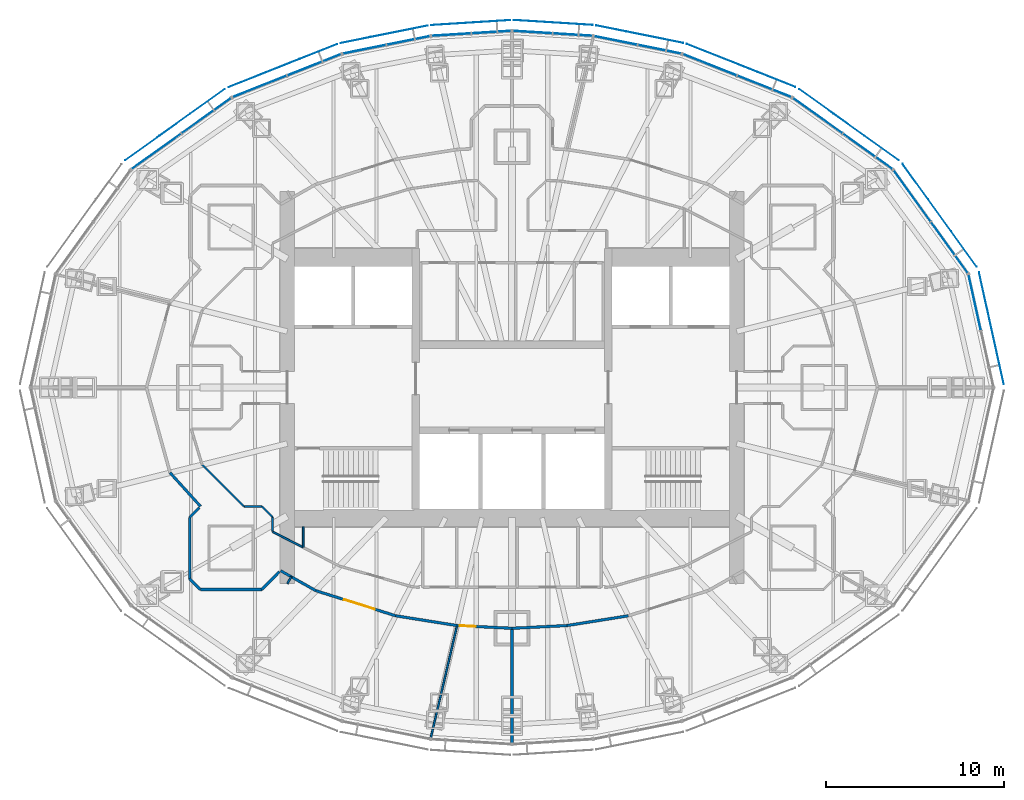
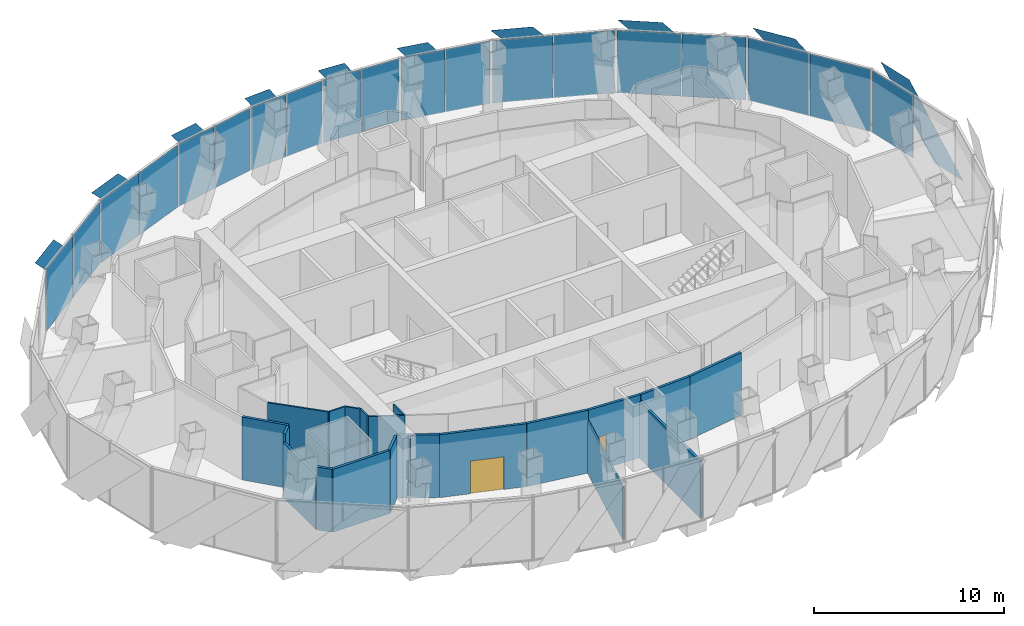
# One storey, part 11 of 18: 29 plates, 21 walls, 2 doors, 2 openings, 10 elements without a shape of their own.
"""IFC4 building model written with IfcOpenShell, lengths in metres."""

import ifcopenshell
import ifcopenshell.guid

model = None  # the IFC model being written
_history = None  # IfcOwnerHistory: only IFC2X3 demands one
_inside = {}  # id of a spatial element -> (the spatial element, [elements in it])
_under = {}  # id of a project, library or spatial element -> (it, [spatial elements below it])
_declared = {}  # id of a project -> (the project, [libraries it declares])
_typed = {}  # id of a type object -> (the type object, [elements of that type])
_made_of = {}  # id of a material, layer set ... -> (it, [elements and type objects made of it])


def new_model(schema):
    """Start an empty IFC model of exactly this schema.

    Asked for "IFC4X3", IfcOpenShell would pick the latest addendum, in which some entities
    have other attributes; the version numbers below select the first issue.
    IFC2X3 requires an IfcOwnerHistory on every rooted entity: one is made here for all.
    """
    global model, _history
    if schema == "IFC4X3":
        model = ifcopenshell.file(schema_version=(4, 3, 0, 0))
    else:
        model = ifcopenshell.file(schema=schema)
    _inside.clear()
    _under.clear()
    _declared.clear()
    _typed.clear()
    _made_of.clear()
    _history = None
    if model.schema == "IFC2X3":
        org = make("IfcOrganization", Name="unknown")
        user = make(
            "IfcPersonAndOrganization",
            ThePerson=make("IfcPerson", FamilyName="unknown"),
            TheOrganization=org,
        )
        app = make(
            "IfcApplication",
            ApplicationDeveloper=org,
            Version="unknown",
            ApplicationFullName="unknown",
            ApplicationIdentifier="unknown",
        )
        _history = make(
            "IfcOwnerHistory",
            OwningUser=user,
            OwningApplication=app,
            ChangeAction="ADDED",
            CreationDate=0,
        )
    return model


def make(cls, **values):
    """One entity of the class cls with the attributes given. An attribute that is None is left unset."""
    return model.create_entity(
        cls, **{name: value for name, value in values.items() if value is not None}
    )


def rooted(cls, **values):
    """An entity with a GlobalId (a new one), such as an element, a storey or a relation."""
    return make(cls, GlobalId=ifcopenshell.guid.new(), OwnerHistory=_history, **values)


def si_unit(unit_type, name, prefix=None):
    """IfcSIUnit, for example si_unit("LENGTHUNIT", "METRE", prefix="MILLI")."""
    return make("IfcSIUnit", UnitType=unit_type, Prefix=prefix, Name=name)


def assignment(units):
    """IfcUnitAssignment: the units of a project."""
    return None if units is None else make("IfcUnitAssignment", Units=units)


def point(xyz):
    """IfcCartesianPoint."""
    return None if xyz is None else make("IfcCartesianPoint", Coordinates=xyz)


def direction(xyz):
    """IfcDirection."""
    return None if xyz is None else make("IfcDirection", DirectionRatios=xyz)


def frame(location, z_axis=None, x_axis=None):
    """IfcAxis2Placement3D, a coordinate frame: its origin and axes. An axis left out is left unset."""
    return make(
        "IfcAxis2Placement3D",
        Location=point(location),
        Axis=direction(z_axis),
        RefDirection=direction(x_axis),
    )


def frame_2d(location, x_axis=None):
    """IfcAxis2Placement2D, a coordinate frame in the plane: its origin and x axis."""
    return make(
        "IfcAxis2Placement2D", Location=point(location), RefDirection=direction(x_axis)
    )


def origin():
    """The frame at (0, 0, 0) with its axes left unset."""
    return frame((0.0, 0.0, 0.0))


def origin_2d():
    """The frame at (0, 0) in the plane with its x axis left unset."""
    return frame_2d((0.0, 0.0))


def place(relative_to, where):
    """IfcLocalPlacement: puts the frame where relative to a parent placement (None: the world)."""
    return make(
        "IfcLocalPlacement", PlacementRelTo=relative_to, RelativePlacement=where
    )


def context(
    kind, dimensions, precision=None, world=None, true_north=None, identifier=None
):
    """IfcGeometricRepresentationContext, for example the 3D "Model" context."""
    return make(
        "IfcGeometricRepresentationContext",
        ContextIdentifier=identifier,
        ContextType=kind,
        CoordinateSpaceDimension=dimensions,
        Precision=precision,
        WorldCoordinateSystem=world,
        TrueNorth=true_north,
    )


def subcontext(parent, identifier, kind, view, scale=None):
    """IfcGeometricRepresentationSubContext, for example "Body" below "Model"."""
    return make(
        "IfcGeometricRepresentationSubContext",
        ContextIdentifier=identifier,
        ContextType=kind,
        ParentContext=parent,
        TargetScale=scale,
        TargetView=view,
    )


def project(units=None, contexts=None):
    """IfcProject with its units and contexts."""
    return rooted(
        "IfcProject",
        Name="project",
        RepresentationContexts=contexts,
        UnitsInContext=assignment(units),
    )


def spatial(cls, under=None, at=None, **own):
    """A site, building, storey or space (cls), placed at a placement, below another one or the project."""
    s = rooted(cls, ObjectPlacement=at, **own)
    if under is not None:
        _under.setdefault(under.id(), (under, []))[1].append(s)
    return s


def polyline(points):
    """IfcPolyline through the points."""
    return make("IfcPolyline", Points=[point(p) for p in points])


def profile(cls, at=None, kind="AREA", **sizes):
    """A parametric profile (cls). Its sizes go by their IFC names, for example OverallWidth=200.0."""
    return make(cls, ProfileType=kind, Position=at, **sizes)


def rectangle(**sizes):
    """IfcRectangleProfileDef."""
    return profile("IfcRectangleProfileDef", **sizes)


def outline(outer, holes=None, kind="AREA"):
    """IfcArbitraryClosedProfileDef: a profile drawn as a closed curve; with holes, ...WithVoids."""
    if holes is None:
        return make("IfcArbitraryClosedProfileDef", ProfileType=kind, OuterCurve=outer)
    return make(
        "IfcArbitraryProfileDefWithVoids",
        ProfileType=kind,
        OuterCurve=outer,
        InnerCurves=holes,
    )


def extrude(swept, where, along, depth):
    """IfcExtrudedAreaSolid: the profile swept, set in the frame where, extruded along a direction by depth."""
    return make(
        "IfcExtrudedAreaSolid",
        SweptArea=swept,
        Position=where,
        ExtrudedDirection=direction(along),
        Depth=depth,
    )


def shape(context_of_items, identifier, shape_type, items):
    """IfcShapeRepresentation: the items that make up one representation, for example the "Body"."""
    return make(
        "IfcShapeRepresentation",
        ContextOfItems=context_of_items,
        RepresentationIdentifier=identifier,
        RepresentationType=shape_type,
        Items=items,
    )


def material(Name=None, Category=None):
    """IfcMaterial."""
    return make("IfcMaterial", Name=Name, Category=Category)


def layer(
    of_material, thickness, ventilated=None, Name=None, Category=None, Priority=None
):
    """IfcMaterialLayer: one layer of a wall or slab, of a material (None: an air gap)."""
    return make(
        "IfcMaterialLayer",
        Material=of_material,
        LayerThickness=thickness,
        IsVentilated=ventilated,
        Name=Name,
        Category=Category,
        Priority=Priority,
    )


def layer_set(layers, Name=None):
    """IfcMaterialLayerSet."""
    return make("IfcMaterialLayerSet", MaterialLayers=layers, LayerSetName=Name)


def made_of(thing, what):
    """Note that an element or type object is made of a material, layer set ...; save() writes the relation."""
    if what is not None:
        _made_of.setdefault(what.id(), (what, []))[1].append(thing)
    return thing


def type_object(cls, material=None, **own):
    """A type object (cls), such as IfcWallType, which elements share."""
    return made_of(rooted(cls, **own), material)


def element(
    cls,
    number,
    at=None,
    inside=None,
    cuts=None,
    type_object=None,
    material=None,
    context=None,
    identifier="Body",
    shape_type=None,
    held_by="IfcProductDefinitionShape",
    body=None,
    shapes=None,
    **own,
):
    """One element of the class cls, such as IfcWall. Its Tag is "e" and its number.

    at: its placement. inside: the storey or other place that contains it. cuts: it is an
    opening in that element (IfcRelVoidsElement). A single representation is given by context,
    identifier, shape_type and body (its items); several are given by shapes. held_by: the class
    of the entity that holds the representations. save() writes the other relations.
    """
    e = rooted(cls, Tag="e%d" % number, ObjectPlacement=at, **own)
    if body is not None:
        shapes = [shape(context, identifier, shape_type, body)]
    if shapes is not None:
        e.Representation = make(held_by, Representations=shapes)
    if inside is not None:
        _inside.setdefault(inside.id(), (inside, []))[1].append(e)
    if cuts is not None:
        rooted(
            "IfcRelVoidsElement", RelatingBuildingElement=cuts, RelatedOpeningElement=e
        )
    if type_object is not None:
        _typed.setdefault(type_object.id(), (type_object, []))[1].append(e)
    return made_of(e, material)


def fill(opening, filler):
    """IfcRelFillsElement: the door or window that sits in an opening."""
    return rooted(
        "IfcRelFillsElement",
        RelatingOpeningElement=opening,
        RelatedBuildingElement=filler,
    )


def aggregate(whole, parts):
    """IfcRelAggregates: a whole, such as a stair, and the parts it consists of."""
    return rooted("IfcRelAggregates", RelatingObject=whole, RelatedObjects=parts)


def save(model, path):
    """Write the relations noted so far, then the file.

    IfcRelAggregates (storeys below a building ...), IfcRelContainedInSpatialStructure (elements
    in a storey), IfcRelDefinesByType, IfcRelAssociatesMaterial and IfcRelDeclares: one each for
    every whole, place, type object, material and project.
    """
    for whole, parts in _under.values():
        aggregate(whole, parts)
    for where, things in _inside.values():
        rooted(
            "IfcRelContainedInSpatialStructure",
            RelatedElements=things,
            RelatingStructure=where,
        )
    for kind, things in _typed.values():
        rooted("IfcRelDefinesByType", RelatedObjects=things, RelatingType=kind)
    for what, things in _made_of.values():
        rooted("IfcRelAssociatesMaterial", RelatedObjects=things, RelatingMaterial=what)
    for by, libraries in _declared.values():
        rooted("IfcRelDeclares", RelatingContext=by, RelatedDefinitions=libraries)
    model.write(path)


model = new_model("IFC4")

# Units and contexts
model_context = context("Model", 3, precision=1e-05, world=origin(), true_north=direction((0.0, 1.0)))
body_context = subcontext(model_context, "Body", "Model", "MODEL_VIEW")
ifc_project = project(units=[si_unit("LENGTHUNIT", "METRE"), si_unit("AREAUNIT", "SQUARE_METRE"), si_unit("VOLUMEUNIT", "CUBIC_METRE"), si_unit("PLANEANGLEUNIT", "RADIAN"), si_unit("MASSUNIT", "GRAM", prefix="KILO")], contexts=[model_context])

# Site, building, storey
site_placement = place(None, origin())
site = spatial("IfcSite", under=ifc_project, at=site_placement, CompositionType="ELEMENT")
building_placement = place(site_placement, origin())
building = spatial("IfcBuilding", under=site, at=building_placement, Name="Lantaw Convention Tower", CompositionType="ELEMENT")
storey_placement = place(building_placement, frame((0.0, 0.0, 266.199951171875)))
storey = spatial("IfcBuildingStorey", under=building, at=storey_placement, Name="L62", CompositionType="ELEMENT", Elevation=266.199951171875)

# Curtain wall, plate
ifc_material_1 = material(Name="Aluminium framed curtain wall", Category="aluminium")
curtain_wall_type = type_object("IfcCurtainWallType", Name="Office curtain wall high rise, pale aluminium", PredefinedType="USERDEFINED", material=ifc_material_1)
curtain_wall_1_placement = place(storey_placement, origin())
curtain_wall_1 = element("IfcCurtainWall", 1, at=curtain_wall_1_placement, inside=storey, type_object=curtain_wall_type, Name="Office curtain wall high rise, pale aluminium L62", ObjectType="UNITISED CURTAIN WALL", PredefinedType="USERDEFINED")
ifc_material_2 = material(Name="Clear insulating glass", Category="glass")
ifc_layer_1 = layer(ifc_material_2, 0.028076171875)
ifc_layer_set_1 = layer_set([ifc_layer_1], Name="CW-O2 panel 28")
plate_type_1 = type_object("IfcPlateType", Name="CW-O2 panel 28", PredefinedType="CURTAIN_PANEL", material=ifc_layer_set_1)
plate_1_placement = place(storey_placement, frame((25.945556640625, 4.769287109375, -0.0849609375), z_axis=(0.0, 0.0, 1.0), x_axis=(-0.215891333626, 0.976417396437, 0.0)))
plate_1 = element("IfcPlate", 2, at=plate_1_placement, type_object=plate_type_1, Name="CW-O2 panel 2.1", PredefinedType="CURTAIN_PANEL", context=body_context, shape_type="SweptSolid", body=[
    extrude(rectangle(XDim=3.169677734375, YDim=0.028076171875, at=origin_2d()), origin(), (0.0, 0.0, 1.0), 4.02001953125),
])
aggregate(curtain_wall_1, [plate_1])

# Curtain wall, plates
curtain_wall_2_placement = place(storey_placement, origin())
curtain_wall_2 = element("IfcCurtainWall", 3, at=curtain_wall_2_placement, inside=storey, type_object=curtain_wall_type, Name="Office curtain wall high rise, pale aluminium L62", ObjectType="UNITISED CURTAIN WALL", PredefinedType="USERDEFINED")
plate_2_placement = place(storey_placement, frame((24.527099609375, 7.852294921875, -0.0849609375), z_axis=(0.0, 0.0, 1.0), x_axis=(-0.585157643865, 0.810919559405, 0.0)))
plate_2 = element("IfcPlate", 4, at=plate_2_placement, type_object=plate_type_1, Name="CW-O2 panel 1.1", PredefinedType="CURTAIN_PANEL", context=body_context, shape_type="SweptSolid", body=[
    extrude(rectangle(XDim=3.500732421875, YDim=0.028076171875, at=origin_2d()), origin(), (0.0, 0.0, 1.0), 4.02001953125),
])
plate_3_placement = place(storey_placement, frame((22.4404296875, 10.743896484375, -0.0849609375), z_axis=(0.0, 0.0, 1.0), x_axis=(-0.585157643865, 0.810919559405, 0.0)))
plate_3 = element("IfcPlate", 5, at=plate_3_placement, type_object=plate_type_1, Name="CW-O2 panel 2.1", PredefinedType="CURTAIN_PANEL", context=body_context, shape_type="SweptSolid", body=[
    extrude(rectangle(XDim=3.500732421875, YDim=0.028076171875, at=origin_2d()), origin(), (0.0, 0.0, 1.0), 4.02001953125),
])
aggregate(curtain_wall_2, [plate_2, plate_3])

curtain_wall_3_placement = place(storey_placement, origin())
curtain_wall_3 = element("IfcCurtainWall", 6, at=curtain_wall_3_placement, inside=storey, type_object=curtain_wall_type, Name="Office curtain wall high rise, pale aluminium L62", ObjectType="UNITISED CURTAIN WALL", PredefinedType="USERDEFINED")
plate_4_placement = place(storey_placement, frame((19.947509765625, 13.23828125, -0.0849609375), z_axis=(0.0, 0.0, 1.0), x_axis=(-0.813672540482, 0.581323487281, 0.0)))
plate_4 = element("IfcPlate", 7, at=plate_4_placement, type_object=plate_type_1, Name="CW-O2 panel 1.1", PredefinedType="CURTAIN_PANEL", context=body_context, shape_type="SweptSolid", body=[
    extrude(rectangle(XDim=3.386474609375, YDim=0.028076171875, at=origin_2d()), origin(), (0.0, 0.0, 1.0), 4.02001953125),
])
plate_5_placement = place(storey_placement, frame((17.13916015625, 15.24462890625, -0.0849609375), z_axis=(0.0, 0.0, 1.0), x_axis=(-0.813672540482, 0.581323487281, 0.0)))
plate_5 = element("IfcPlate", 8, at=plate_5_placement, type_object=plate_type_1, Name="CW-O2 panel 2.1", PredefinedType="CURTAIN_PANEL", context=body_context, shape_type="SweptSolid", body=[
    extrude(rectangle(XDim=3.386474609375, YDim=0.028076171875, at=origin_2d()), origin(), (0.0, 0.0, 1.0), 4.02001953125),
])
aggregate(curtain_wall_3, [plate_4, plate_5])

curtain_wall_4_placement = place(storey_placement, origin())
curtain_wall_4 = element("IfcCurtainWall", 9, at=curtain_wall_4_placement, inside=storey, type_object=curtain_wall_type, Name="Office curtain wall high rise, pale aluminium L62", ObjectType="UNITISED CURTAIN WALL", PredefinedType="USERDEFINED")
plate_6_placement = place(storey_placement, frame((14.14990234375, 16.8837890625, -0.0849609375), z_axis=(0.0, 0.0, 1.0), x_axis=(-0.929761533743, 0.368162315252, 0.0)))
plate_6 = element("IfcPlate", 10, at=plate_6_placement, type_object=plate_type_1, Name="CW-O2 panel 1.1", PredefinedType="CURTAIN_PANEL", context=body_context, shape_type="SweptSolid", body=[
    extrude(rectangle(XDim=3.222900390625, YDim=0.028076171875, at=origin_2d()), origin(), (0.0, 0.0, 1.0), 4.02001953125),
])
plate_7_placement = place(storey_placement, frame((11.0927734375, 18.094482421875, -0.0849609375), z_axis=(0.0, 0.0, 1.0), x_axis=(-0.929761533743, 0.368162315252, 0.0)))
plate_7 = element("IfcPlate", 11, at=plate_7_placement, type_object=plate_type_1, Name="CW-O2 panel 2.1", PredefinedType="CURTAIN_PANEL", context=body_context, shape_type="SweptSolid", body=[
    extrude(rectangle(XDim=3.222900390625, YDim=0.028076171875, at=origin_2d()), origin(), (0.0, 0.0, 1.0), 4.02001953125),
])
aggregate(curtain_wall_4, [plate_6, plate_7])

curtain_wall_5_placement = place(storey_placement, origin())
curtain_wall_5 = element("IfcCurtainWall", 12, at=curtain_wall_5_placement, inside=storey, type_object=curtain_wall_type, Name="Office curtain wall high rise, pale aluminium L62", ObjectType="UNITISED CURTAIN WALL", PredefinedType="USERDEFINED")
plate_8_placement = place(storey_placement, frame((8.2724609375, 18.96533203125, -0.0849609375), z_axis=(0.0, 0.0, 1.0), x_axis=(-0.980366679695, 0.197183095987, 0.0)))
plate_8 = element("IfcPlate", 13, at=plate_8_placement, type_object=plate_type_1, Name="CW-O2 panel 1.1", PredefinedType="CURTAIN_PANEL", context=body_context, shape_type="SweptSolid", body=[
    extrude(rectangle(XDim=2.44384765625, YDim=0.028076171875, at=origin_2d()), origin(), (0.0, 0.0, 1.0), 4.02001953125),
])
plate_9_placement = place(storey_placement, frame((5.81298828125, 19.4599609375, -0.0849609375), z_axis=(0.0, 0.0, 1.0), x_axis=(-0.980366679695, 0.197183095987, 0.0)))
plate_9 = element("IfcPlate", 14, at=plate_9_placement, type_object=plate_type_1, Name="CW-O2 panel 2.1", PredefinedType="CURTAIN_PANEL", context=body_context, shape_type="SweptSolid", body=[
    extrude(rectangle(XDim=2.44384765625, YDim=0.028076171875, at=origin_2d()), origin(), (0.0, 0.0, 1.0), 4.02001953125),
])
aggregate(curtain_wall_5, [plate_8, plate_9])

curtain_wall_6_placement = place(storey_placement, origin())
curtain_wall_6 = element("IfcCurtainWall", 15, at=curtain_wall_6_placement, inside=storey, type_object=curtain_wall_type, Name="Office curtain wall high rise, pale aluminium L62", ObjectType="UNITISED CURTAIN WALL", PredefinedType="USERDEFINED")
plate_10_placement = place(storey_placement, frame((3.397216796875, 19.786376953125, -0.0849609375), z_axis=(0.0, 0.0, 1.0), x_axis=(-0.998028774865, 0.062757983884, 0.0)))
plate_10 = element("IfcPlate", 16, at=plate_10_placement, type_object=plate_type_1, Name="CW-O2 panel 1.1", PredefinedType="CURTAIN_PANEL", context=body_context, shape_type="SweptSolid", body=[
    extrude(rectangle(XDim=2.1826171875, YDim=0.028076171875, at=origin_2d()), origin(), (0.0, 0.0, 1.0), 4.02001953125),
])
plate_11_placement = place(storey_placement, frame((1.154052734375, 19.927490234375, -0.0849609375), z_axis=(0.0, 0.0, 1.0), x_axis=(-0.998028774865, 0.062757983884, 0.0)))
plate_11 = element("IfcPlate", 17, at=plate_11_placement, type_object=plate_type_1, Name="CW-O2 panel 2.1", PredefinedType="CURTAIN_PANEL", context=body_context, shape_type="SweptSolid", body=[
    extrude(rectangle(XDim=2.1826171875, YDim=0.028076171875, at=origin_2d()), origin(), (0.0, 0.0, 1.0), 4.02001953125),
])
aggregate(curtain_wall_6, [plate_10, plate_11])

curtain_wall_7_placement = place(storey_placement, origin())
curtain_wall_7 = element("IfcCurtainWall", 18, at=curtain_wall_7_placement, inside=storey, type_object=curtain_wall_type, Name="Office curtain wall high rise, pale aluminium L62", ObjectType="UNITISED CURTAIN WALL", PredefinedType="USERDEFINED")
plate_12_placement = place(storey_placement, frame((-1.154052734375, 19.927490234375, -0.0849609375), z_axis=(0.0, 0.0, 1.0), x_axis=(-0.998028774865, -0.062757983884, 0.0)))
plate_12 = element("IfcPlate", 19, at=plate_12_placement, type_object=plate_type_1, Name="CW-O2 panel 1.1", PredefinedType="CURTAIN_PANEL", context=body_context, shape_type="SweptSolid", body=[
    extrude(rectangle(XDim=2.1826171875, YDim=0.028076171875, at=origin_2d()), origin(), (0.0, 0.0, 1.0), 4.02001953125),
])
plate_13_placement = place(storey_placement, frame((-3.397216796875, 19.786376953125, -0.0849609375), z_axis=(0.0, 0.0, 1.0), x_axis=(-0.998028774865, -0.062757983884, 0.0)))
plate_13 = element("IfcPlate", 20, at=plate_13_placement, type_object=plate_type_1, Name="CW-O2 panel 2.1", PredefinedType="CURTAIN_PANEL", context=body_context, shape_type="SweptSolid", body=[
    extrude(rectangle(XDim=2.1826171875, YDim=0.028076171875, at=origin_2d()), origin(), (0.0, 0.0, 1.0), 4.02001953125),
])
aggregate(curtain_wall_7, [plate_12, plate_13])

curtain_wall_8_placement = place(storey_placement, origin())
curtain_wall_8 = element("IfcCurtainWall", 21, at=curtain_wall_8_placement, inside=storey, type_object=curtain_wall_type, Name="Office curtain wall high rise, pale aluminium L62", ObjectType="UNITISED CURTAIN WALL", PredefinedType="USERDEFINED")
plate_14_placement = place(storey_placement, frame((-5.81298828125, 19.4599609375, -0.0849609375), z_axis=(0.0, 0.0, 1.0), x_axis=(-0.980366679695, -0.197183095987, 0.0)))
plate_14 = element("IfcPlate", 22, at=plate_14_placement, type_object=plate_type_1, Name="CW-O2 panel 1.1", PredefinedType="CURTAIN_PANEL", context=body_context, shape_type="SweptSolid", body=[
    extrude(rectangle(XDim=2.44384765625, YDim=0.028076171875, at=origin_2d()), origin(), (0.0, 0.0, 1.0), 4.02001953125),
])
plate_15_placement = place(storey_placement, frame((-8.2724609375, 18.96533203125, -0.0849609375), z_axis=(0.0, 0.0, 1.0), x_axis=(-0.980366679695, -0.197183095987, 0.0)))
plate_15 = element("IfcPlate", 23, at=plate_15_placement, type_object=plate_type_1, Name="CW-O2 panel 2.1", PredefinedType="CURTAIN_PANEL", context=body_context, shape_type="SweptSolid", body=[
    extrude(rectangle(XDim=2.44384765625, YDim=0.028076171875, at=origin_2d()), origin(), (0.0, 0.0, 1.0), 4.02001953125),
])
aggregate(curtain_wall_8, [plate_14, plate_15])

curtain_wall_9_placement = place(storey_placement, origin())
curtain_wall_9 = element("IfcCurtainWall", 24, at=curtain_wall_9_placement, inside=storey, type_object=curtain_wall_type, Name="Office curtain wall high rise, pale aluminium L62", ObjectType="UNITISED CURTAIN WALL", PredefinedType="USERDEFINED")
plate_16_placement = place(storey_placement, frame((-11.0927734375, 18.094482421875, -0.0849609375), z_axis=(0.0, 0.0, 1.0), x_axis=(-0.929761533743, -0.368162315252, 0.0)))
plate_16 = element("IfcPlate", 25, at=plate_16_placement, type_object=plate_type_1, Name="CW-O2 panel 1.1", PredefinedType="CURTAIN_PANEL", context=body_context, shape_type="SweptSolid", body=[
    extrude(rectangle(XDim=3.222900390625, YDim=0.028076171875, at=origin_2d()), origin(), (0.0, 0.0, 1.0), 4.02001953125),
])
plate_17_placement = place(storey_placement, frame((-14.14990234375, 16.8837890625, -0.0849609375), z_axis=(0.0, 0.0, 1.0), x_axis=(-0.929761533743, -0.368162315252, 0.0)))
plate_17 = element("IfcPlate", 26, at=plate_17_placement, type_object=plate_type_1, Name="CW-O2 panel 2.1", PredefinedType="CURTAIN_PANEL", context=body_context, shape_type="SweptSolid", body=[
    extrude(rectangle(XDim=3.222900390625, YDim=0.028076171875, at=origin_2d()), origin(), (0.0, 0.0, 1.0), 4.02001953125),
])
aggregate(curtain_wall_9, [plate_16, plate_17])

curtain_wall_10_placement = place(storey_placement, origin())
curtain_wall_10 = element("IfcCurtainWall", 27, at=curtain_wall_10_placement, inside=storey, type_object=curtain_wall_type, Name="Office curtain wall high rise, pale aluminium L62", ObjectType="UNITISED CURTAIN WALL", PredefinedType="USERDEFINED")
plate_18_placement = place(storey_placement, frame((-17.13916015625, 15.24462890625, -0.0849609375), z_axis=(0.0, 0.0, 1.0), x_axis=(-0.813672540482, -0.581323487281, 0.0)))
plate_18 = element("IfcPlate", 28, at=plate_18_placement, type_object=plate_type_1, Name="CW-O2 panel 1.1", PredefinedType="CURTAIN_PANEL", context=body_context, shape_type="SweptSolid", body=[
    extrude(rectangle(XDim=3.386474609375, YDim=0.028076171875, at=origin_2d()), origin(), (0.0, 0.0, 1.0), 4.02001953125),
])
plate_19_placement = place(storey_placement, frame((-19.947509765625, 13.23828125, -0.0849609375), z_axis=(0.0, 0.0, 1.0), x_axis=(-0.813672540482, -0.581323487281, 0.0)))
plate_19 = element("IfcPlate", 29, at=plate_19_placement, type_object=plate_type_1, Name="CW-O2 panel 2.1", PredefinedType="CURTAIN_PANEL", context=body_context, shape_type="SweptSolid", body=[
    extrude(rectangle(XDim=3.386474609375, YDim=0.028076171875, at=origin_2d()), origin(), (0.0, 0.0, 1.0), 4.02001953125),
])
aggregate(curtain_wall_10, [plate_18, plate_19])

# Plates
ifc_material_3 = material(Name="Perforated aluminium sheet, pale silver finish", Category="aluminium")
ifc_layer_2 = layer(ifc_material_3, 0.006103515625)
ifc_layer_set_2 = layer_set([ifc_layer_2], Name="Perforated aluminium solar SCREEN panel")
plate_type_2 = type_object("IfcPlateType", Name="Perforated aluminium solar SCREEN panel", PredefinedType="SHEET", material=ifc_layer_set_2)
plate_20_placement = place(storey_placement, frame((27.580810546875, 0.1796875, -0.175048828125), z_axis=(0.976429511424, 0.215836529031, 4.4219438e-05), x_axis=(-0.215836529242, 0.976429512379, 0.0)))
element("IfcPlate", 30, at=plate_20_placement, inside=storey, type_object=plate_type_2, Name="Solar SCREEN panel", PredefinedType="SHEET", context=body_context, shape_type="SweptSolid", body=[
    extrude(outline(polyline([(0.0, 0.0), (2.2215525295212517, -3.3881317890172014e-21), (6.4341686174090675, 4.340087894868215), (4.212616087887817, 4.340087894868215), (0.0, 0.0)])), origin(), (0.0, 0.0, -1.0), 0.006103515625),
])
plate_21_placement = place(storey_placement, frame((26.051513671875, 6.775390625, -0.175048828125), z_axis=(-0.810892289695, -0.585195432394, 2.0458414e-05), x_axis=(-0.585195432516, 0.810892289865, 0.0)))
element("IfcPlate", 31, at=plate_21_placement, inside=storey, type_object=plate_type_2, Name="Solar SCREEN panel", PredefinedType="SHEET", context=body_context, shape_type="SweptSolid", body=[
    extrude(outline(polyline([(0.0, 0.0), (2.446848840683286, 6.776263578034403e-21), (7.09661046667572, -4.340087891533265), (4.649761625992435, -4.340087891533265), (0.0, 0.0)])), origin(), (0.0, 0.0, -1.0), 0.006103515625),
])
plate_22_placement = place(storey_placement, frame((21.689697265625, 12.73828125, -0.175048828125), z_axis=(0.581330799771, 0.813667316006, 1.0072414e-05), x_axis=(-0.813667316047, 0.5813307998, 3.02e-10)))
element("IfcPlate", 32, at=plate_22_placement, inside=storey, type_object=plate_type_2, Name="Solar SCREEN panel", PredefinedType="SHEET", context=body_context, shape_type="SweptSolid", body=[
    extrude(outline(polyline([(0.0, 0.0), (2.3691416428668504, 0.0), (6.867806096558412, 4.34008788877314), (4.498863102938644, 4.340087890202622), (0.0, 0.0)])), origin(), (0.0, 0.0, -1.0), 0.006103515625),
])
plate_23_placement = place(storey_placement, frame((15.88525390625, 16.8486328125, -0.175048828125), z_axis=(-0.368116612072, -0.929779629081, 3.5533269e-05), x_axis=(-0.929779629668, 0.368116612304, -1.786e-09)))
element("IfcPlate", 33, at=plate_23_placement, inside=storey, type_object=plate_type_2, Name="Solar SCREEN panel", PredefinedType="SHEET", context=body_context, shape_type="SweptSolid", body=[
    extrude(outline(polyline([(0.0, 0.0), (2.2578720663572183, -3.3881317890172014e-21), (6.540904465438181, -4.340087905048178), (4.282942526861161, -4.340087896982072), (0.0, 0.0)])), origin(), (0.0, 0.0, -1.0), 0.006103515625),
])
plate_24_placement = place(storey_placement, frame((9.6044921875, 19.315673828125, -0.175048828125), z_axis=(-0.197162069853, -0.980370908428, 1.0904083e-05), x_axis=(-0.980370908486, 0.197162069865, -7.55e-10)))
element("IfcPlate", 34, at=plate_24_placement, inside=storey, type_object=plate_type_2, Name="Solar SCREEN panel", PredefinedType="SHEET", context=body_context, shape_type="SweptSolid", body=[
    extrude(outline(polyline([(0.0, 0.0), (1.7279870169553606, 8.470329472543003e-22), (4.982578440602753, -4.340087894645749), (3.2545432883764285, -4.340087892035838), (0.0, 0.0)])), origin(), (0.0, 0.0, -1.0), 0.006103515625),
])
plate_25_placement = place(storey_placement, frame((4.539306640625, 20.32177734375, -0.175048828125), z_axis=(-0.062672387577, -0.998034151922, 5.858668e-05), x_axis=(-0.998034153635, 0.062672387685, 0.0)))
element("IfcPlate", 35, at=plate_25_placement, inside=storey, type_object=plate_type_2, Name="Solar SCREEN panel", PredefinedType="SHEET", context=body_context, shape_type="SweptSolid", body=[
    extrude(outline(polyline([(0.0, 0.0), (1.5504111513762302, 8.470329472543003e-22), (4.460200019412434, -4.340087898073457), (2.9097888680362036, -4.340087898073457), (0.0, 0.0)])), origin(), (0.0, 0.0, -1.0), 0.006103515625),
])
plate_26_placement = place(storey_placement, frame((-0.087890625, 20.6015625, -0.175048828125), z_axis=(-0.062672387577, 0.998034151922, 5.858668e-05), x_axis=(-0.998034153635, -0.062672387685, 0.0)))
element("IfcPlate", 36, at=plate_26_placement, inside=storey, type_object=plate_type_2, Name="Solar SCREEN panel", PredefinedType="SHEET", context=body_context, shape_type="SweptSolid", body=[
    extrude(outline(polyline([(0.0, 0.0), (1.5504111513762302, -8.470329472543003e-22), (4.460200019412434, 4.340087898073457), (2.9097888680362036, 4.340087898073457), (0.0, 0.0)])), origin(), (0.0, 0.0, -1.0), 0.006103515625),
])
plate_27_placement = place(storey_placement, frame((-4.7197265625, 20.298095703125, -0.175048828125), z_axis=(-0.197162069853, 0.980370908428, 1.0904083e-05), x_axis=(-0.980370908486, -0.197162069865, 7.55e-10)))
element("IfcPlate", 37, at=plate_27_placement, inside=storey, type_object=plate_type_2, Name="Solar SCREEN panel", PredefinedType="SHEET", context=body_context, shape_type="SweptSolid", body=[
    extrude(outline(polyline([(0.0, 0.0), (1.7280351522263238, 4.235164736271502e-22), (4.982578447157737, 4.34008788712039), (3.2545914302023755, 4.340087889730228), (0.0, 0.0)])), origin(), (0.0, 0.0, -1.0), 0.006103515625),
])
plate_28_placement = place(storey_placement, frame((-9.8037109375, 19.256591796875, -0.175048828125), z_axis=(-0.368116612072, 0.929779629081, 3.5533269e-05), x_axis=(-0.929779629668, -0.368116612304, 1.786e-09)))
element("IfcPlate", 38, at=plate_28_placement, inside=storey, type_object=plate_type_2, Name="Solar SCREEN panel", PredefinedType="SHEET", context=body_context, shape_type="SweptSolid", body=[
    extrude(outline(polyline([(0.0, 0.0), (2.257961938577019, 0.0), (6.540904480942253, 4.34008788168214), (4.283032414585035, 4.340087889747925), (0.0, 0.0)])), origin(), (0.0, 0.0, -1.0), 0.006103515625),
])
plate_29_placement = place(storey_placement, frame((-16.1015625, 16.730712890625, -0.175048828125), z_axis=(0.581330799771, -0.813667316006, 1.0072414e-05), x_axis=(-0.813667316047, -0.5813307998, -3.02e-10)))
element("IfcPlate", 39, at=plate_29_placement, inside=storey, type_object=plate_type_2, Name="Solar SCREEN panel", PredefinedType="SHEET", context=body_context, shape_type="SweptSolid", body=[
    extrude(outline(polyline([(0.0, 0.0), (2.3689429936197683, -1.6940658945086007e-21), (6.867806093939489, -4.340087892917353), (4.498664451072639, -4.340087891487751), (0.0, 0.0)])), origin(), (0.0, 0.0, -1.0), 0.006103515625),
])

# Wall, opening, door
ifc_material_4 = material(Name="Gypsum board on steel studs, fire rated", Category="steel")
ifc_layer_3 = layer(ifc_material_4, 0.14990234375)
ifc_layer_set_3 = layer_set([ifc_layer_3], Name="Corridor wall 150 EI 60")
wall_type_1 = type_object("IfcWallType", Name="Corridor wall 150 EI 60", PredefinedType="PARTITIONING", material=ifc_layer_set_3)
wall_1_placement = place(storey_placement, frame((-11.000732421875, -11.3916015625, 0.0), z_axis=(0.0, 0.0, 1.0), x_axis=(0.954031103669, -0.299707612903, 0.0)))
wall_1 = element("IfcWall", 40, at=wall_1_placement, inside=storey, type_object=wall_type_1, Name="Corridor wall 150", PredefinedType="PARTITIONING", context=body_context, shape_type="SweptSolid", body=[
    extrude(rectangle(XDim=4.6953125, YDim=0.14990234375, at=frame_2d((2.34765625, 0.0))), origin(), (0.0, 0.0, 1.0), 4.050048828125),
])
opening_1_placement = place(wall_1_placement, frame((1.663818359375, 0.0, 0.0)))
opening_1 = element("IfcOpeningElement", 41, at=opening_1_placement, cuts=wall_1, Name="Opening L62.32", PredefinedType="OPENING", context=body_context, shape_type="SweptSolid", body=[
    extrude(rectangle(XDim=1.800048828125, YDim=2.10009765625, at=frame_2d((0.89990234375, 1.050048828125))), frame((0.0, 0.0849609375, 0.0), z_axis=(0.0, -1.0, 0.0), x_axis=(1.0, 0.0, 0.0)), (0.0, 0.0, 1.0), 0.169921875),
])
ifc_material_5 = material(Name="Steel, fire rated", Category="steel")
door_type_1 = type_object("IfcDoorType", Name="Office double door 1800 FD30", OperationType="DOUBLE_DOOR_DOUBLE_SWING", PredefinedType="DOOR", material=ifc_material_5)
door_1_placement = place(opening_1_placement, origin())
door_1 = element("IfcDoor", 42, at=door_1_placement, inside=storey, type_object=door_type_1, Name="Tenant suite door", OperationType="DOUBLE_DOOR_DOUBLE_SWING", OverallHeight=2.10009765625, OverallWidth=1.800048828125, PredefinedType="DOOR", context=body_context, shape_type="SweptSolid", body=[
    extrude(rectangle(XDim=1.800048828125, YDim=2.10009765625, at=frame_2d((0.89990234375, 1.050048828125))), frame((0.0, 0.02490234375, 0.0), z_axis=(0.0, -1.0, 0.0), x_axis=(1.0, 0.0, 0.0)), (0.0, 0.0, 1.0), 0.050048828125),
])
fill(opening_1, door_1)

# Wall
wall_2_placement = place(storey_placement, frame((-6.521240234375, -12.798828125, 0.0), z_axis=(0.0, 0.0, 1.0), x_axis=(0.987554093087, -0.157279729233, 0.0)))
element("IfcWall", 43, at=wall_2_placement, inside=storey, type_object=wall_type_1, Name="Corridor wall 150", PredefinedType="PARTITIONING", context=body_context, shape_type="SweptSolid", body=[
    extrude(rectangle(XDim=3.4833984375, YDim=0.14990234375, at=frame_2d((1.74169921875, 0.0))), origin(), (0.0, 0.0, 1.0), 4.050048828125),
])

# Wall, opening, door
wall_3_placement = place(storey_placement, frame((-3.081298828125, -13.3466796875, 0.0), z_axis=(0.0, 0.0, 1.0), x_axis=(0.99876434787, -0.049696855278, 0.0)))
wall_3 = element("IfcWall", 44, at=wall_3_placement, inside=storey, type_object=wall_type_1, Name="Corridor wall 150", PredefinedType="PARTITIONING", context=body_context, shape_type="SweptSolid", body=[
    extrude(rectangle(XDim=3.085205078125, YDim=0.14990234375, at=frame_2d((1.54248046875, 0.0))), origin(), (0.0, 0.0, 1.0), 4.050048828125),
])
opening_2_placement = place(wall_3_placement, frame((0.14990234375, 0.0, 0.0)))
opening_2 = element("IfcOpeningElement", 45, at=opening_2_placement, cuts=wall_3, Name="Opening L62.33", PredefinedType="OPENING", context=body_context, shape_type="SweptSolid", body=[
    extrude(rectangle(XDim=0.89990234375, YDim=2.10009765625, at=frame_2d((0.449951171875, 1.050048828125))), frame((0.0, 0.0849609375, 0.0), z_axis=(0.0, -1.0, 0.0), x_axis=(1.0, 0.0, 0.0)), (0.0, 0.0, 1.0), 0.169921875),
])
door_type_2 = type_object("IfcDoorType", Name="Office door 900 FD30", OperationType="SINGLE_SWING_LEFT", PredefinedType="DOOR", material=ifc_material_5)
door_2_placement = place(opening_2_placement, origin())
door_2 = element("IfcDoor", 46, at=door_2_placement, inside=storey, type_object=door_type_2, Name="Meeting room door", OperationType="SINGLE_SWING_LEFT", OverallHeight=2.10009765625, OverallWidth=0.89990234375, PredefinedType="DOOR", context=body_context, shape_type="SweptSolid", body=[
    extrude(rectangle(XDim=0.89990234375, YDim=2.10009765625, at=frame_2d((0.449951171875, 1.050048828125))), frame((0.0, 0.02490234375, 0.0), z_axis=(0.0, -1.0, 0.0), x_axis=(1.0, 0.0, 0.0)), (0.0, 0.0, 1.0), 0.050048828125),
])
fill(opening_2, door_2)

# Walls
wall_4_placement = place(storey_placement, frame((0.0, -13.5, 0.0), z_axis=(0.0, 0.0, 1.0), x_axis=(0.99876434787, 0.049696855278, 0.0)))
element("IfcWall", 47, at=wall_4_placement, inside=storey, type_object=wall_type_1, Name="Corridor wall 150", PredefinedType="PARTITIONING", context=body_context, shape_type="SweptSolid", body=[
    extrude(rectangle(XDim=3.085205078125, YDim=0.14990234375, at=frame_2d((1.54248046875, 0.0))), origin(), (0.0, 0.0, 1.0), 4.050048828125),
])
wall_5_placement = place(storey_placement, frame((3.081298828125, -13.3466796875, 0.0), z_axis=(0.0, 0.0, 1.0), x_axis=(0.987554093087, 0.157279729233, 0.0)))
element("IfcWall", 48, at=wall_5_placement, inside=storey, type_object=wall_type_1, Name="Corridor wall 150", PredefinedType="PARTITIONING", context=body_context, shape_type="SweptSolid", body=[
    extrude(rectangle(XDim=3.4833984375, YDim=0.14990234375, at=frame_2d((1.74169921875, 0.0))), origin(), (0.0, 0.0, 1.0), 4.050048828125),
])
wall_6_placement = place(storey_placement, frame((-19.171875, -4.780029296875, 0.0), z_axis=(0.0, 0.0, 1.0), x_axis=(0.671721890643, -0.74080341632, 0.0)))
element("IfcWall", 49, at=wall_6_placement, inside=storey, type_object=wall_type_1, Name="Corridor wall 150", PredefinedType="PARTITIONING", context=body_context, shape_type="SweptSolid", body=[
    extrude(rectangle(XDim=2.54443359375, YDim=0.14990234375, at=frame_2d((1.272216796875, 0.0))), origin(), (0.0, 0.0, 1.0), 4.050048828125),
])
wall_7_placement = place(storey_placement, frame((-12.974609375, -10.271484375, 0.0), z_axis=(0.0, 0.0, 1.0), x_axis=(0.869722107117, -0.493541747366, 0.0)))
element("IfcWall", 50, at=wall_7_placement, inside=storey, type_object=wall_type_1, Name="Corridor wall 150", PredefinedType="PARTITIONING", context=body_context, shape_type="SweptSolid", body=[
    extrude(rectangle(XDim=2.26953125, YDim=0.14990234375, at=frame_2d((1.134765625, 0.0))), origin(), (0.0, 0.0, 1.0), 4.050048828125),
])
wall_8_placement = place(storey_placement, frame((-13.035888671875, -10.318603515625, 0.0), z_axis=(0.0, 0.0, 1.0), x_axis=(-0.701113567316, -0.713049623606, 0.0)))
element("IfcWall", 51, at=wall_8_placement, inside=storey, type_object=wall_type_1, Name="Corridor wall 150", PredefinedType="PARTITIONING", context=body_context, shape_type="SweptSolid", body=[
    extrude(rectangle(XDim=1.411376953125, YDim=0.14990234375, at=frame_2d((0.70556640625, 0.0))), origin(), (0.0, 0.0, 1.0), 4.050048828125),
])
wall_9_placement = place(storey_placement, frame((-14.025390625, -11.324951171875, 0.0), z_axis=(0.0, 0.0, 1.0), x_axis=(-1.0, 0.0, 0.0)))
element("IfcWall", 52, at=wall_9_placement, inside=storey, type_object=wall_type_1, Name="Corridor wall 150", PredefinedType="PARTITIONING", context=body_context, shape_type="SweptSolid", body=[
    extrude(rectangle(XDim=3.44921875, YDim=0.14990234375, at=frame_2d((1.724609375, 0.0))), origin(), (0.0, 0.0, 1.0), 4.050048828125),
])
wall_10_placement = place(storey_placement, frame((-17.474609375, -11.324951171875, 0.0), z_axis=(0.0, 0.0, 1.0), x_axis=(-0.707106781187, 0.707106781187, 0.0)))
element("IfcWall", 53, at=wall_10_placement, inside=storey, type_object=wall_type_1, Name="Corridor wall 150", PredefinedType="PARTITIONING", context=body_context, shape_type="SweptSolid", body=[
    extrude(rectangle(XDim=0.84912109375, YDim=0.14990234375, at=frame_2d((0.424560546875, 0.0))), origin(), (0.0, 0.0, 1.0), 4.050048828125),
])
wall_11_placement = place(storey_placement, frame((-18.074951171875, -10.724609375, 0.0), z_axis=(0.0, 0.0, 1.0), x_axis=(0.0, 1.0, 0.0)))
element("IfcWall", 54, at=wall_11_placement, inside=storey, type_object=wall_type_1, Name="Corridor wall 150", PredefinedType="PARTITIONING", context=body_context, shape_type="SweptSolid", body=[
    extrude(rectangle(XDim=3.44921875, YDim=0.14990234375, at=frame_2d((1.724609375, 0.0))), origin(), (0.0, 0.0, 1.0), 3.521728515625),
])
wall_12_placement = place(storey_placement, frame((-18.074951171875, -7.275390625, 0.0), z_axis=(0.0, 0.0, 1.0), x_axis=(0.707106781187, 0.707106781187, 0.0)))
element("IfcWall", 55, at=wall_12_placement, inside=storey, type_object=wall_type_1, Name="Corridor wall 150", PredefinedType="PARTITIONING", context=body_context, shape_type="SweptSolid", body=[
    extrude(rectangle(XDim=0.759521484375, YDim=0.14990234375, at=frame_2d((0.3798828125, 0.0))), origin(), (0.0, 0.0, 1.0), 4.050048828125),
])
ifc_material_6 = material(Name="Gypsum board on steel studs, acoustic", Category="steel")
ifc_layer_4 = layer(ifc_material_6, 0.10009765625)
ifc_layer_set_4 = layer_set([ifc_layer_4], Name="Office partition 100")
wall_type_2 = type_object("IfcWallType", Name="Office partition 100", PredefinedType="PARTITIONING", material=ifc_layer_set_4)
wall_13_placement = place(storey_placement, frame((-4.5556640625, -19.65673828125, 0.0), z_axis=(0.0, 0.0, 1.0), x_axis=(0.227524978141, 0.973772244584, 0.0)))
element("IfcWall", 56, at=wall_13_placement, inside=storey, type_object=wall_type_2, Name="Office partition 100", PredefinedType="PARTITIONING", context=body_context, shape_type="SweptSolid", body=[
    extrude(rectangle(XDim=6.47998046875, YDim=0.10009765625, at=frame_2d((3.239990234375, 0.0))), origin(), (0.0, 0.0, 1.0), 3.36669921875),
])
wall_14_placement = place(storey_placement, frame((-11.7099609375, -7.800048828125, 0.0), z_axis=(0.0, 0.0, 1.0), x_axis=(0.0, -1.0, 0.0)))
element("IfcWall", 57, at=wall_14_placement, inside=storey, type_object=wall_type_2, Name="Office partition 100", PredefinedType="PARTITIONING", context=body_context, shape_type="SweptSolid", body=[
    extrude(rectangle(XDim=1.1669921875, YDim=0.10009765625, at=frame_2d((0.58349609375, 0.0))), origin(), (0.0, 0.0, 1.0), 4.050048828125),
])
wall_15_placement = place(storey_placement, frame((-12.60009765625, -11.0, 0.0), z_axis=(0.0, 0.0, 1.0), x_axis=(0.493794495037, 0.869578631678, 0.0)))
element("IfcWall", 58, at=wall_15_placement, inside=storey, type_object=wall_type_2, Name="Office partition 100", PredefinedType="PARTITIONING", context=body_context, shape_type="SweptSolid", body=[
    extrude(rectangle(XDim=0.448974609375, YDim=0.10009765625, at=frame_2d((0.224609375, 0.0))), origin(), (0.0, 0.0, 1.0), 4.050048828125),
])
wall_16_placement = place(storey_placement, frame((-11.7099609375, -8.967041015625, 0.0), z_axis=(0.0, 0.0, 1.0), x_axis=(-0.889638356137, 0.456665736935, 0.0)))
element("IfcWall", 59, at=wall_16_placement, inside=storey, type_object=wall_type_2, Name="Office partition 100", PredefinedType="PARTITIONING", context=body_context, shape_type="SweptSolid", body=[
    extrude(rectangle(XDim=1.91650390625, YDim=0.10009765625, at=frame_2d((0.958251953125, 0.0))), origin(), (0.0, 0.0, 1.0), 4.050048828125),
])
wall_17_placement = place(storey_placement, frame((-15.03466796875, -6.6650390625, 0.0), z_axis=(0.0, 0.0, 1.0), x_axis=(-0.707587114823, 0.70662612104, 0.0)))
element("IfcWall", 60, at=wall_17_placement, inside=storey, type_object=wall_type_2, Name="Office partition 100", PredefinedType="PARTITIONING", context=body_context, shape_type="SweptSolid", body=[
    extrude(rectangle(XDim=3.302734375, YDim=0.10009765625, at=frame_2d((1.6513671875, 0.0))), origin(), (0.0, 0.0, 1.0), 4.050048828125),
])
wall_18_placement = place(storey_placement, frame((-15.002197265625, -6.675048828125, 0.0), z_axis=(0.0, 0.0, 1.0), x_axis=(1.0, 0.0, 0.0)))
element("IfcWall", 61, at=wall_18_placement, inside=storey, type_object=wall_type_2, Name="Office partition 100", PredefinedType="PARTITIONING", context=body_context, shape_type="SweptSolid", body=[
    extrude(rectangle(XDim=0.976806640625, YDim=0.10009765625, at=frame_2d((0.48828125, 0.0))), origin(), (0.0, 0.0, 1.0), 4.050048828125),
])
wall_19_placement = place(storey_placement, frame((-14.025390625, -6.675048828125, 0.0), z_axis=(0.0, 0.0, 1.0), x_axis=(0.707106781187, -0.707106781187, 0.0)))
element("IfcWall", 62, at=wall_19_placement, inside=storey, type_object=wall_type_2, Name="Office partition 100", PredefinedType="PARTITIONING", context=body_context, shape_type="SweptSolid", body=[
    extrude(rectangle(XDim=0.84912109375, YDim=0.10009765625, at=frame_2d((0.424560546875, 0.0))), origin(), (0.0, 0.0, 1.0), 4.050048828125),
])
wall_20_placement = place(storey_placement, frame((-13.425048828125, -7.275390625, 0.0), z_axis=(0.0, 0.0, 1.0), x_axis=(0.0, -1.0, 0.0)))
element("IfcWall", 63, at=wall_20_placement, inside=storey, type_object=wall_type_2, Name="Office partition 100", PredefinedType="PARTITIONING", context=body_context, shape_type="SweptSolid", body=[
    extrude(rectangle(XDim=0.770263671875, YDim=0.10009765625, at=frame_2d((0.38525390625, 0.0))), origin(), (0.0, 0.0, 1.0), 4.050048828125),
])
ifc_layer_5 = layer(ifc_material_4, 0.14990234375)
ifc_layer_set_5 = layer_set([ifc_layer_5], Name="Tenant separation wall 150 EI 60")
wall_type_3 = type_object("IfcWallType", Name="Tenant separation wall 150 EI 60", PredefinedType="PARTITIONING", material=ifc_layer_set_5)
wall_21_placement = place(storey_placement, frame((0.0, -19.94482421875, 0.0), z_axis=(0.0, 0.0, 1.0), x_axis=(0.0, 1.0, 0.0)))
element("IfcWall", 64, at=wall_21_placement, inside=storey, type_object=wall_type_3, Name="Tenant separation wall 150", PredefinedType="PARTITIONING", context=body_context, shape_type="SweptSolid", body=[
    extrude(rectangle(XDim=6.44482421875, YDim=0.14990234375, at=frame_2d((3.222412109375, 0.0))), origin(), (0.0, 0.0, 1.0), 3.646240234375),
])

save(model, "model.ifc")
